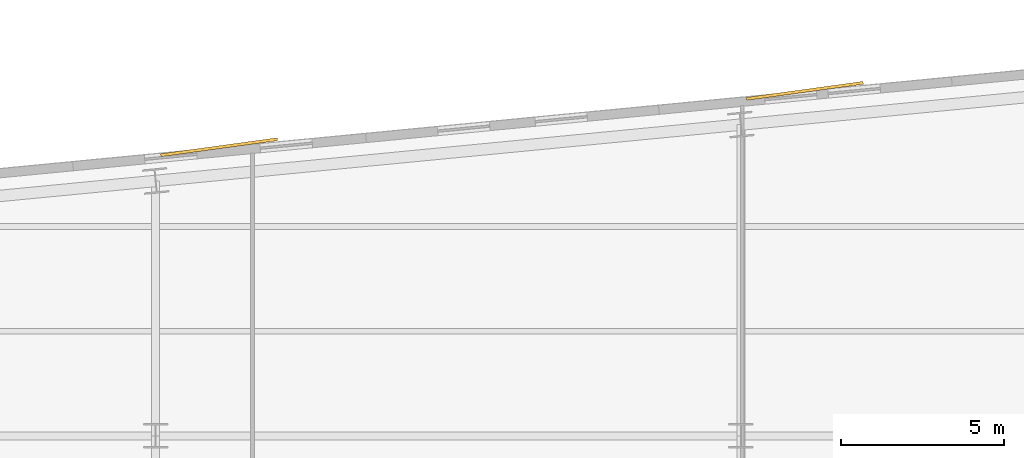
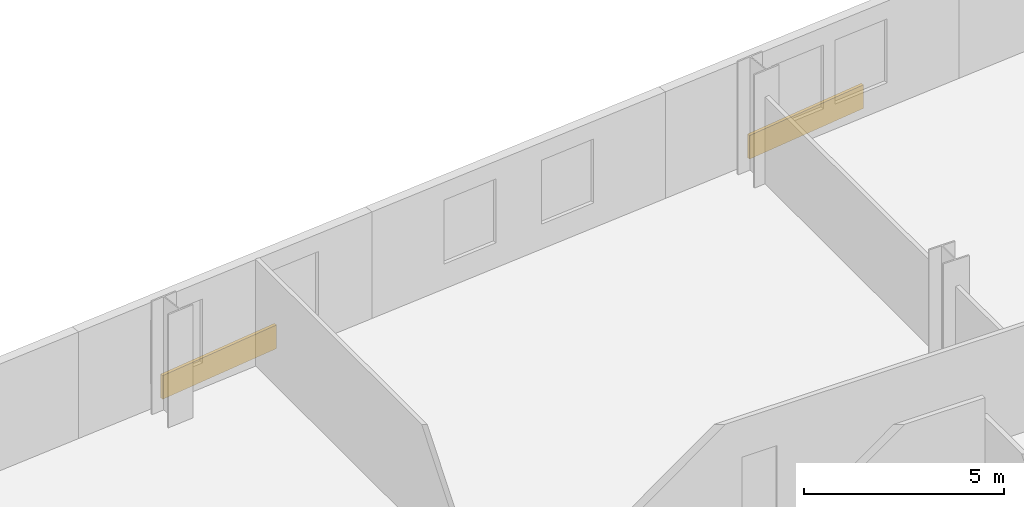
# One storey, part 10 of 10: 2 coverings.
"""IFC4 building model written with IfcOpenShell, lengths in metres."""

from ifc_helpers import new_model, si_unit, direction, frame, origin, origin_2d, place, context, subcontext, project, spatial, rectangle, extrude, material, layer, layer_set, type_object, element, save


model = new_model("IFC4")

# Units and contexts
model_context = context("Model", 3, precision=1e-05, world=origin(), true_north=direction((0.0, 1.0)))
body_context = subcontext(model_context, "Body", "Model", "MODEL_VIEW")
ifc_project = project(units=[si_unit("LENGTHUNIT", "METRE"), si_unit("AREAUNIT", "SQUARE_METRE"), si_unit("VOLUMEUNIT", "CUBIC_METRE"), si_unit("PLANEANGLEUNIT", "RADIAN"), si_unit("MASSUNIT", "GRAM", prefix="KILO")], contexts=[model_context])

# Site, building, storey
site_placement = place(None, origin())
site = spatial("IfcSite", under=ifc_project, at=site_placement, CompositionType="ELEMENT")
building_placement = place(site_placement, origin())
building = spatial("IfcBuilding", under=site, at=building_placement, Name="Velakula Bourse", CompositionType="ELEMENT")
storey_placement = place(building_placement, frame((0.0, 0.0, 91.449951171875)))
storey = spatial("IfcBuildingStorey", under=building, at=storey_placement, Name="L24", CompositionType="ELEMENT", Elevation=91.449951171875)

# Coverings
ifc_material = material(Name="Buff kilned clay facing brick masonry", Category="masonry")
ifc_layer = layer(ifc_material, 0.074951171875, Name="Buff kilned clay facing brick masonry", Category="masonry")
ifc_layer_set = layer_set([ifc_layer], Name="Buff kilned clay facing brick masonry")
covering_type = type_object("IfcCoveringType", Name="COV-BRK-SPN-75", PredefinedType="CLADDING", material=ifc_layer_set)
for number, where, z_axis, x_axis, name in (
    (1, (-7.0087890625, 23.428955078125, 0.0), (0.0, 0.0, 1.0), (0.990629029058, 0.136580111242, 0.0), "L24 Folded Brick Facade Cladding Panel N-B2"),
    (2, (10.908447265625, 25.154052734375, 0.0), (0.0, 0.0, 1.0), (0.990629029058, 0.136580111242, 0.0), "L24 Folded Brick Facade Cladding Panel N-B4"),
):
    element("IfcCovering", number, at=place(storey_placement, frame(where, z_axis=z_axis, x_axis=x_axis)), inside=storey, type_object=covering_type, Name=name, PredefinedType="CLADDING", context=body_context, shape_type="SweptSolid", body=[
        extrude(rectangle(XDim=3.60009765625, YDim=0.090087890625, at=origin_2d()), origin(), (0.0, 0.0, 1.0), 0.719970703125),
    ])

save(model, "model.ifc")
